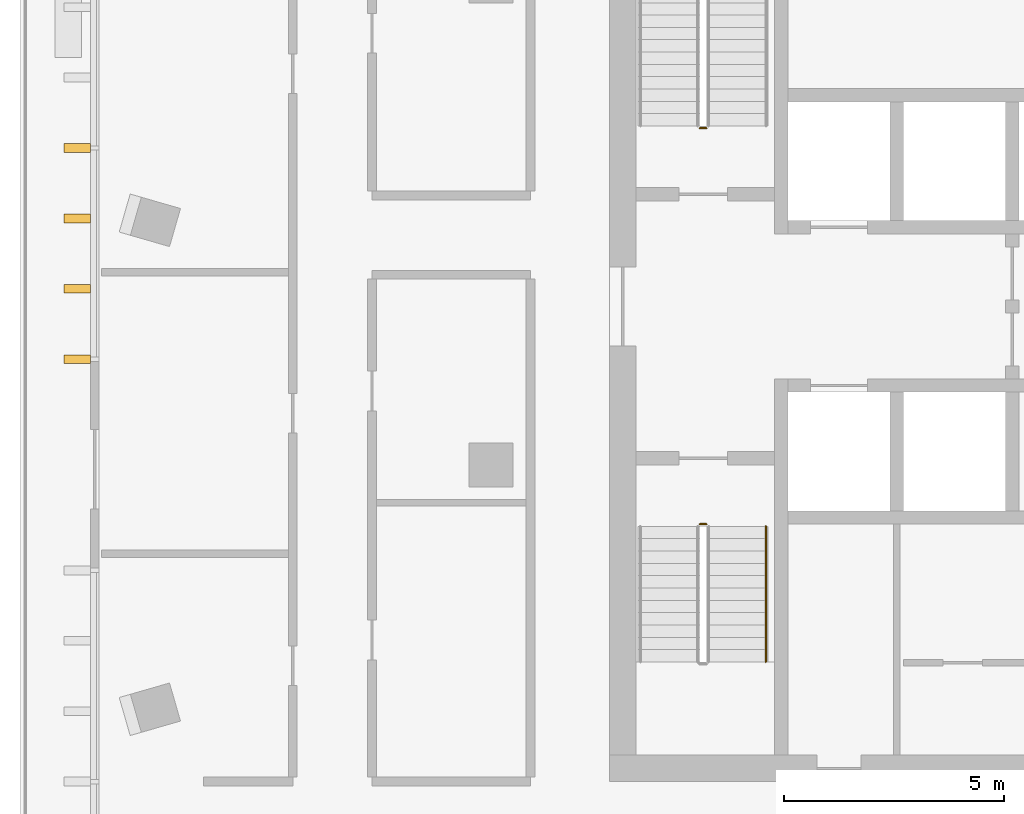
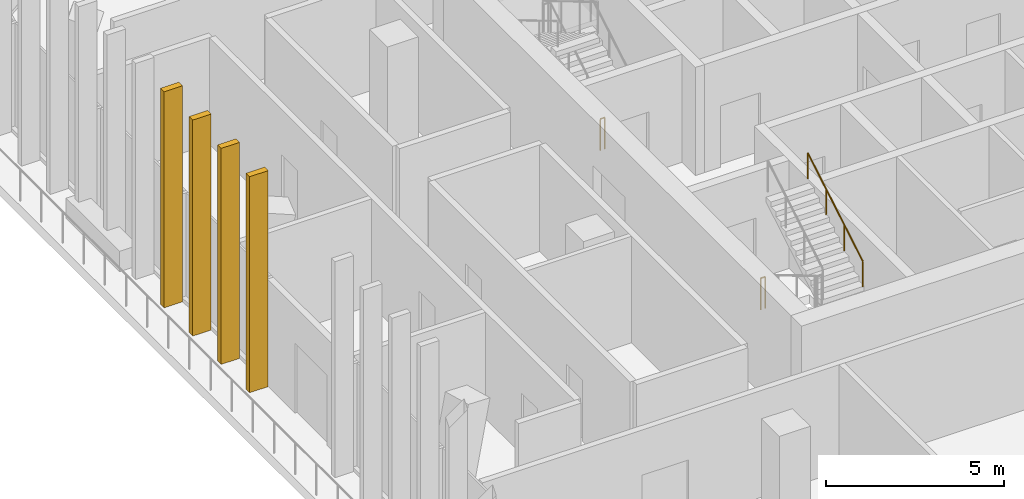
# One storey, part 12 of 15: 4 shading devices, 3 railings.
"""IFC4 building model written with IfcOpenShell, lengths in metres."""

from ifc_helpers import new_model, si_unit, direction, frame, origin, origin_2d, place, context, subcontext, project, spatial, rectangle, circle, extrude, material, type_object, element, save


model = new_model("IFC4")

# Units and contexts
model_context = context("Model", 3, precision=1e-05, world=origin(), true_north=direction((0.0, 1.0)))
body_context = subcontext(model_context, "Body", "Model", "MODEL_VIEW")
ifc_project = project(units=[si_unit("LENGTHUNIT", "METRE"), si_unit("AREAUNIT", "SQUARE_METRE"), si_unit("VOLUMEUNIT", "CUBIC_METRE"), si_unit("PLANEANGLEUNIT", "RADIAN"), si_unit("MASSUNIT", "GRAM", prefix="KILO")], contexts=[model_context])

# Site, building, storey
site_placement = place(None, origin())
site = spatial("IfcSite", under=ifc_project, at=site_placement, CompositionType="ELEMENT")
building_placement = place(site_placement, origin())
building = spatial("IfcBuilding", under=site, at=building_placement, Name="Mopane Tessera Tower", CompositionType="ELEMENT")
storey_placement = place(building_placement, frame((0.0, 0.0, 329.39990234375)))
storey = spatial("IfcBuildingStorey", under=building, at=storey_placement, Name="L72", CompositionType="ELEMENT", Elevation=329.39990234375)

# Shading devices
ifc_material_1 = material(Name="Glazed ceramic tile")
shading_device_type = type_object("IfcShadingDeviceType", Name="Ceramic tile fin 600 x 200 mm", PredefinedType="USERDEFINED", material=ifc_material_1)
for number, where, z_axis, x_axis, name in (
    (1, (-26.5, 7.199951171875, 0.000244140625), (0.0, 0.0, 1.0), (0.0, -1.0, 0.0), "e:fin:L72:W:2:0"),
    (2, (-26.5, 5.60009765625, 0.000244140625), (0.0, 0.0, 1.0), (0.0, -1.0, 0.0), "e:fin:L72:W:2:1"),
    (3, (-26.5, 4.0, 0.000244140625), (0.0, 0.0, 1.0), (0.0, -1.0, 0.0), "e:fin:L72:W:2:2"),
    (4, (-26.5, 2.39990234375, 0.000244140625), (0.0, 0.0, 1.0), (0.0, -1.0, 0.0), "e:fin:L72:W:2:3"),
):
    element("IfcShadingDevice", number, at=place(storey_placement, frame(where, z_axis=z_axis, x_axis=x_axis)), inside=storey, type_object=shading_device_type, Name=name, ObjectType="FIN", PredefinedType="USERDEFINED", context=body_context, shape_type="SweptSolid", body=[
        extrude(rectangle(XDim=0.199951171875, YDim=0.60009765625, at=origin_2d()), origin(), (0.0, 0.0, 1.0), 7.39990234375),
    ])

# Railings
ifc_material_2 = material(Name="Powder-coated steel balustrade", Category="steel")
railing_type_1 = type_object("IfcRailingType", Name="Escape stair guard 1100 mm", PredefinedType="GUARDRAIL", material=ifc_material_2)
railing_1_placement = place(storey_placement, frame((-12.35009765625, -1.35009765625, 0.0)))
element("IfcRailing", 5, at=railing_1_placement, inside=storey, type_object=railing_type_1, Name="L72 ST1 stair guard 3", PredefinedType="GUARDRAIL", context=body_context, shape_type="SweptSolid", body=[
    extrude(circle(Radius=0.02392578125, at=origin_2d()), frame((0.0, 0.0, 1.076171875), z_axis=(1.0, 0.0, 0.0), x_axis=(0.0, 1.0, 0.0)), (0.0, 0.0, 1.0), 0.150146484375),
    extrude(circle(Radius=0.02099609375, at=origin_2d()), origin(), (0.0, 0.0, 1.0), 1.052001953125),
    extrude(circle(Radius=0.02099609375, at=origin_2d()), frame((0.150146484375, 0.0, 0.0)), (0.0, 0.0, 1.0), 1.052001953125),
])
railing_2_placement = place(storey_placement, frame((-12.199951171875, 7.64990234375, 0.0)))
element("IfcRailing", 6, at=railing_2_placement, inside=storey, type_object=railing_type_1, Name="L72 ST2 stair guard 3", PredefinedType="GUARDRAIL", context=body_context, shape_type="SweptSolid", body=[
    extrude(circle(Radius=0.02392578125, at=origin_2d()), frame((0.0, 0.0, 1.076171875), z_axis=(-1.0, 0.0, 0.0), x_axis=(0.0, -1.0, 0.0)), (0.0, 0.0, 1.0), 0.150146484375),
    extrude(circle(Radius=0.02099609375, at=origin_2d()), origin(), (0.0, 0.0, 1.0), 1.052001953125),
    extrude(circle(Radius=0.02099609375, at=origin_2d()), frame((-0.150146484375, 0.0, 0.0)), (0.0, 0.0, 1.0), 1.052001953125),
])
ifc_material_3 = material(Name="Powder-coated steel balustrade", Category="steel")
railing_type_2 = type_object("IfcRailingType", Name="Escape stair handrail 900 mm", PredefinedType="HANDRAIL", material=ifc_material_3)
railing_3_placement = place(storey_placement, frame((-10.85009765625, -4.47998046875, 2.166748046875)))
element("IfcRailing", 7, at=railing_3_placement, inside=storey, type_object=railing_type_2, Name="L72 ST1 stair handrail 2", PredefinedType="HANDRAIL", context=body_context, shape_type="SweptSolid", body=[
    extrude(circle(Radius=0.02392578125, at=origin_2d()), frame((0.0, 0.0, 0.8759765625), z_axis=(0.0, 0.859308565015, 0.511457515432), x_axis=(-1.0, 0.0, 0.0)), (0.0, 0.0, 1.0), 3.58447265625),
    extrude(circle(Radius=0.02099609375, at=origin_2d()), origin(), (0.0, 0.0, 1.0), 0.851806640625),
    extrude(circle(Radius=0.02099609375, at=origin_2d()), frame((0.0, 1.026611328125, 0.611083984375)), (0.0, 0.0, 1.0), 0.851806640625),
    extrude(circle(Radius=0.02099609375, at=origin_2d()), frame((0.0, 2.053466796875, 1.22216796875)), (0.0, 0.0, 1.0), 0.851806640625),
    extrude(circle(Radius=0.02099609375, at=origin_2d()), frame((0.0, 3.080078125, 1.833251953125)), (0.0, 0.0, 1.0), 0.851806640625),
])

save(model, "model.ifc")
